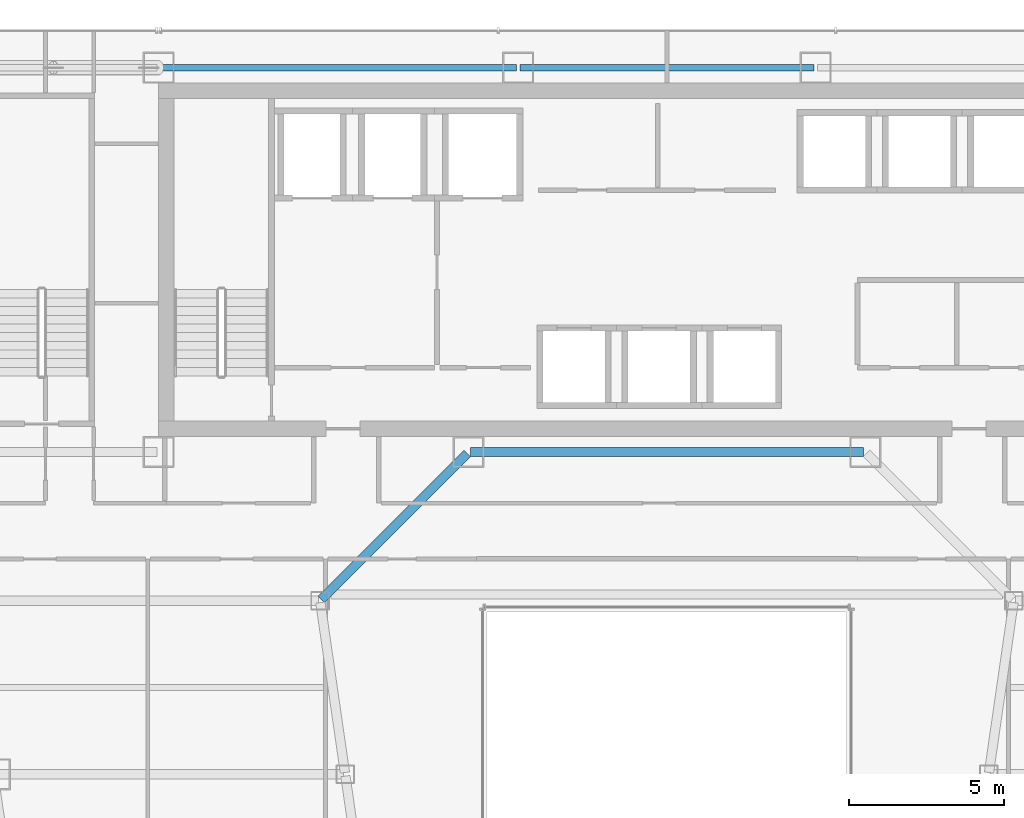
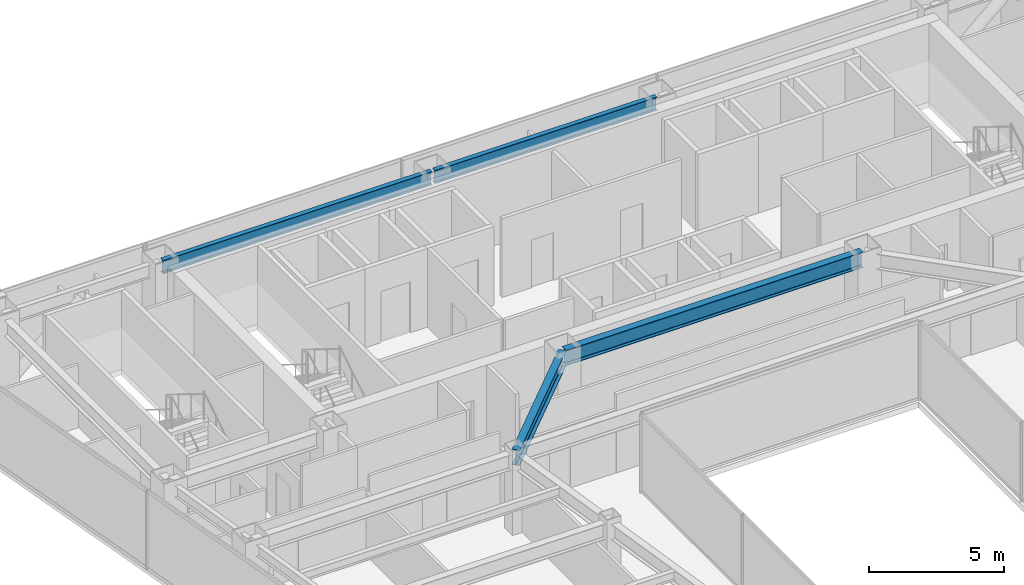
# One storey, part 22 of 38: 4 beams.
"""IFC4 building model written with IfcOpenShell, lengths in metres."""

from ifc_helpers import new_model, si_unit, direction, frame, origin, origin_2d, place, context, subcontext, project, spatial, i_section, extrude, material, material_profile, profile_set, type_object, element, save


model = new_model("IFC4")

# Units and contexts
model_context = context("Model", 3, precision=1e-05, world=origin(), true_north=direction((0.0, 1.0)))
body_context = subcontext(model_context, "Body", "Model", "MODEL_VIEW")
ifc_project = project(units=[si_unit("LENGTHUNIT", "METRE"), si_unit("AREAUNIT", "SQUARE_METRE"), si_unit("VOLUMEUNIT", "CUBIC_METRE"), si_unit("PLANEANGLEUNIT", "RADIAN"), si_unit("MASSUNIT", "GRAM", prefix="KILO")], contexts=[model_context])

# Site, building, storey
site_placement = place(None, origin())
site = spatial("IfcSite", under=ifc_project, at=site_placement, CompositionType="ELEMENT")
building_placement = place(site_placement, origin())
building = spatial("IfcBuilding", under=site, at=building_placement, Name="Saevonmaru Cultural Tower", CompositionType="ELEMENT")
storey_placement = place(building_placement, frame((0.0, 0.0, 137.199951171875)))
storey = spatial("IfcBuildingStorey", under=building, at=storey_placement, Name="L29", CompositionType="ELEMENT", Elevation=137.199951171875)

# Beams
ifc_material = material(Name="Steel SM355", Category="steel")
ifc_material_profile_1 = material_profile(ifc_material, i_section(OverallWidth=0.300048828125, OverallDepth=0.699951171875, WebThickness=0.012939453125, FlangeThickness=0.02392578125, FilletRadius=0.02587890625, at=origin_2d()), Name="H-700x300x13x24")
ifc_profile_set_1 = profile_set([ifc_material_profile_1], Name="Steel SM355")
beam_type_1 = type_object("IfcBeamType", Name="BM-G-H700", PredefinedType="BEAM", material=ifc_profile_set_1)
beam_1_placement = place(storey_placement, frame((23.659912109375, 42.39990234375, 3.199951171875), z_axis=(1.0, 0.0, 0.0), x_axis=(0.0, 1.0, 0.0)))
element("IfcBeam", 1, at=beam_1_placement, inside=storey, type_object=beam_type_1, Name="L29 Core South Girder 3", PredefinedType="BEAM", context=body_context, shape_type="SweptSolid", body=[
    extrude(i_section(OverallWidth=0.300048828125, OverallDepth=0.699951171875, WebThickness=0.012939453125, FlangeThickness=0.02392578125, FilletRadius=0.02587890625, at=origin_2d()), origin(), (0.0, 0.0, 1.0), 12.68017578125),
])
beam_2_placement = place(storey_placement, frame((18.850341796875, 37.642578125, 3.199951171875), z_axis=(0.706538566564, 0.707674539572, 0.0), x_axis=(-0.707674539572, 0.706538566564, 0.0)))
element("IfcBeam", 2, at=beam_2_placement, inside=storey, type_object=beam_type_1, Name="L29 West Atrium Girder 5", PredefinedType="BEAM", context=body_context, shape_type="SweptSolid", body=[
    extrude(i_section(OverallWidth=0.300048828125, OverallDepth=0.699951171875, WebThickness=0.012939453125, FlangeThickness=0.02392578125, FilletRadius=0.02587890625, at=origin_2d()), origin(), (0.0, 0.0, 1.0), 6.662353515625),
])
ifc_material_profile_2 = material_profile(ifc_material, i_section(OverallWidth=0.199951171875, OverallDepth=0.60009765625, WebThickness=0.010986328125, FlangeThickness=0.01708984375, FilletRadius=0.02197265625, at=origin_2d()), Name="H-600x200x11x17")
ifc_profile_set_2 = profile_set([ifc_material_profile_2], Name="Steel SM355")
beam_type_2 = type_object("IfcBeamType", Name="BM-SP-H600", PredefinedType="SPANDREL", material=ifc_profile_set_2)
beam_3_placement = place(storey_placement, frame((13.659912109375, 54.800048828125, 3.25), z_axis=(1.0, 0.0, 0.0), x_axis=(0.0, 1.0, 0.0)))
element("IfcBeam", 3, at=beam_3_placement, inside=storey, type_object=beam_type_2, Name="L29 North Spine Girder 2", PredefinedType="SPANDREL", context=body_context, shape_type="SweptSolid", body=[
    extrude(i_section(OverallWidth=0.199951171875, OverallDepth=0.60009765625, WebThickness=0.010986328125, FlangeThickness=0.01708984375, FilletRadius=0.02197265625, at=origin_2d()), origin(), (0.0, 0.0, 1.0), 11.47998046875),
])
beam_4_placement = place(storey_placement, frame((25.260009765625, 54.800048828125, 3.25), z_axis=(1.0, 0.0, 0.0), x_axis=(0.0, 1.0, 0.0)))
element("IfcBeam", 4, at=beam_4_placement, inside=storey, type_object=beam_type_2, Name="L29 North Spine Girder 3", PredefinedType="SPANDREL", context=body_context, shape_type="SweptSolid", body=[
    extrude(i_section(OverallWidth=0.199951171875, OverallDepth=0.60009765625, WebThickness=0.010986328125, FlangeThickness=0.01708984375, FilletRadius=0.02197265625, at=origin_2d()), origin(), (0.0, 0.0, 1.0), 9.47998046875),
])

save(model, "model.ifc")
